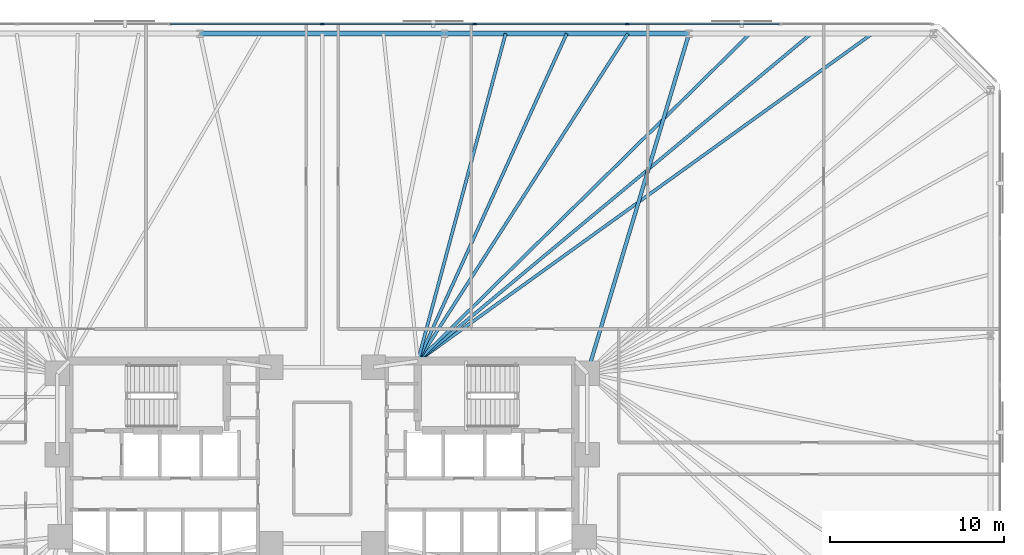
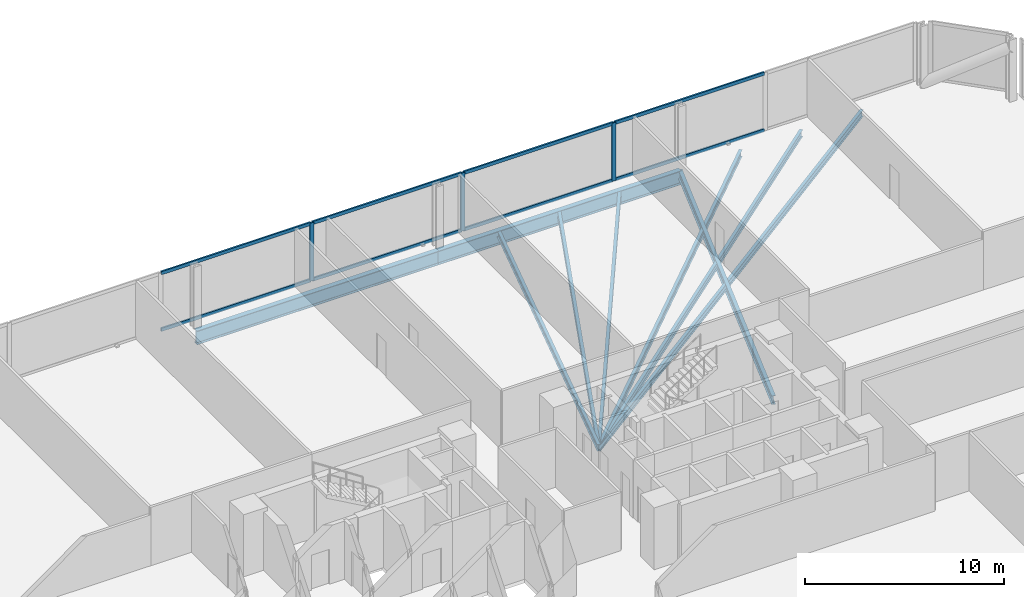
# One storey, part 9 of 16: 11 members, 9 beams, 1 element without a shape of its own.
"""IFC4 building model written with IfcOpenShell, lengths in metres."""

from ifc_helpers import new_model, si_unit, direction, frame, origin, origin_2d, place, context, subcontext, project, spatial, rectangle, i_section, extrude, material, material_profile, profile_set, type_object, element, aggregate, save


model = new_model("IFC4")

# Units and contexts
model_context = context("Model", 3, precision=1e-05, world=origin(), true_north=direction((0.0, 1.0)))
body_context = subcontext(model_context, "Body", "Model", "MODEL_VIEW")
ifc_project = project(units=[si_unit("LENGTHUNIT", "METRE"), si_unit("AREAUNIT", "SQUARE_METRE"), si_unit("VOLUMEUNIT", "CUBIC_METRE"), si_unit("PLANEANGLEUNIT", "RADIAN"), si_unit("MASSUNIT", "GRAM", prefix="KILO")], contexts=[model_context])

# Site, building, storey
site_placement = place(None, origin())
site = spatial("IfcSite", under=ifc_project, at=site_placement, CompositionType="ELEMENT")
building_placement = place(site_placement, origin())
building = spatial("IfcBuilding", under=site, at=building_placement, Name="Menara Jurai Vektor", CompositionType="ELEMENT")
storey_placement = place(building_placement, frame((0.0, 0.0, 33.199951171875)))
storey = spatial("IfcBuildingStorey", under=building, at=storey_placement, Name="L07", CompositionType="ELEMENT", Elevation=33.199951171875)

# Curtain wall, members
ifc_material_1 = material(Name="Anodised Pale Aluminium & Low-E Double Glazing", Category="aluminium")
curtain_wall_type = type_object("IfcCurtainWallType", Name="CW-BLK1", PredefinedType="NOTDEFINED", material=ifc_material_1)
curtain_wall_placement = place(storey_placement, origin())
curtain_wall = element("IfcCurtainWall", 1, at=curtain_wall_placement, inside=storey, type_object=curtain_wall_type, Name="Unitised Curtain Wall L07 F05", PredefinedType="NOTDEFINED")
ifc_material_2 = material(Name="Anodised Pale Aluminium Mullion", Category="aluminium")
ifc_material_profile_1 = material_profile(ifc_material_2, rectangle(XDim=0.094970703125, YDim=0.239990234375, at=origin_2d()), Name="ALU MUL 95x240")
ifc_profile_set_1 = profile_set([ifc_material_profile_1], Name="Anodised Pale Aluminium Mullion")
member_type_1 = type_object("IfcMemberType", Name="CW-BLK1-MUL", PredefinedType="MULLION", material=ifc_profile_set_1)
member_1_placement = place(storey_placement, frame((17.56005859375, 25.0, 0.0), z_axis=(0.0, 0.0, 1.0), x_axis=(0.0, -1.0, 0.0)))
member_1 = element("IfcMember", 2, at=member_1_placement, type_object=member_type_1, Name="CW-01 mullion 3", PredefinedType="MULLION", context=body_context, shape_type="SweptSolid", body=[
    extrude(rectangle(XDim=0.094970703125, YDim=0.239990234375, at=origin_2d()), origin(), (0.0, 0.0, 1.0), 3.574951171875),
])
member_2_placement = place(storey_placement, frame((8.780029296875, 25.0, 0.0), z_axis=(0.0, 0.0, 1.0), x_axis=(0.0, -1.0, 0.0)))
member_2 = element("IfcMember", 3, at=member_2_placement, type_object=member_type_1, Name="CW-01 mullion 4", PredefinedType="MULLION", context=body_context, shape_type="SweptSolid", body=[
    extrude(rectangle(XDim=0.094970703125, YDim=0.239990234375, at=origin_2d()), origin(), (0.0, 0.0, 1.0), 3.574951171875),
])
member_3_placement = place(storey_placement, frame((0.0, 25.0, 0.0), z_axis=(0.0, 0.0, 1.0), x_axis=(0.0, -1.0, 0.0)))
member_3 = element("IfcMember", 4, at=member_3_placement, type_object=member_type_1, Name="CW-01 mullion 5", PredefinedType="MULLION", context=body_context, shape_type="SweptSolid", body=[
    extrude(rectangle(XDim=0.094970703125, YDim=0.239990234375, at=origin_2d()), origin(), (0.0, 0.0, 1.0), 3.574951171875),
])
ifc_material_3 = material(Name="Anodised Pale Aluminium Transom", Category="aluminium")
ifc_material_profile_2 = material_profile(ifc_material_3, rectangle(XDim=0.094970703125, YDim=0.199951171875, at=origin_2d()), Name="ALU TRN 95x200")
ifc_profile_set_2 = profile_set([ifc_material_profile_2], Name="Anodised Pale Aluminium Transom")
member_type_2 = type_object("IfcMemberType", Name="CW-BLK1-TRN", PredefinedType="USERDEFINED", material=ifc_profile_set_2)
member_4_placement = place(storey_placement, frame((26.29248046875, 25.0, 0.047607421875), z_axis=(-1.0, 0.0, 0.0), x_axis=(0.0, -1.0, 0.0)))
member_4 = element("IfcMember", 5, at=member_4_placement, type_object=member_type_2, Name="CW-01 transom 2.1", ObjectType="TRANSOM", PredefinedType="USERDEFINED", context=body_context, shape_type="SweptSolid", body=[
    extrude(rectangle(XDim=0.094970703125, YDim=0.199951171875, at=origin_2d()), origin(), (0.0, 0.0, 1.0), 8.68505859375),
])
member_5_placement = place(storey_placement, frame((26.29248046875, 25.0, 3.527587890625), z_axis=(-1.0, 0.0, 0.0), x_axis=(0.0, -1.0, 0.0)))
member_5 = element("IfcMember", 6, at=member_5_placement, type_object=member_type_2, Name="CW-01 transom 2.2", ObjectType="TRANSOM", PredefinedType="USERDEFINED", context=body_context, shape_type="SweptSolid", body=[
    extrude(rectangle(XDim=0.094970703125, YDim=0.199951171875, at=origin_2d()), origin(), (0.0, 0.0, 1.0), 8.68505859375),
])
member_6_placement = place(storey_placement, frame((17.512451171875, 25.0, 0.047607421875), z_axis=(-1.0, 0.0, 0.0), x_axis=(0.0, -1.0, 0.0)))
member_6 = element("IfcMember", 7, at=member_6_placement, type_object=member_type_2, Name="CW-01 transom 3.1", ObjectType="TRANSOM", PredefinedType="USERDEFINED", context=body_context, shape_type="SweptSolid", body=[
    extrude(rectangle(XDim=0.094970703125, YDim=0.199951171875, at=origin_2d()), origin(), (0.0, 0.0, 1.0), 8.68505859375),
])
member_7_placement = place(storey_placement, frame((17.512451171875, 25.0, 3.527587890625), z_axis=(-1.0, 0.0, 0.0), x_axis=(0.0, -1.0, 0.0)))
member_7 = element("IfcMember", 8, at=member_7_placement, type_object=member_type_2, Name="CW-01 transom 3.2", ObjectType="TRANSOM", PredefinedType="USERDEFINED", context=body_context, shape_type="SweptSolid", body=[
    extrude(rectangle(XDim=0.094970703125, YDim=0.199951171875, at=origin_2d()), origin(), (0.0, 0.0, 1.0), 8.68505859375),
])
member_8_placement = place(storey_placement, frame((8.732421875, 25.0, 0.047607421875), z_axis=(-1.0, 0.0, 0.0), x_axis=(0.0, -1.0, 0.0)))
member_8 = element("IfcMember", 9, at=member_8_placement, type_object=member_type_2, Name="CW-01 transom 4.1", ObjectType="TRANSOM", PredefinedType="USERDEFINED", context=body_context, shape_type="SweptSolid", body=[
    extrude(rectangle(XDim=0.094970703125, YDim=0.199951171875, at=origin_2d()), origin(), (0.0, 0.0, 1.0), 8.684814453125),
])
member_9_placement = place(storey_placement, frame((8.732421875, 25.0, 3.527587890625), z_axis=(-1.0, 0.0, 0.0), x_axis=(0.0, -1.0, 0.0)))
member_9 = element("IfcMember", 10, at=member_9_placement, type_object=member_type_2, Name="CW-01 transom 4.2", ObjectType="TRANSOM", PredefinedType="USERDEFINED", context=body_context, shape_type="SweptSolid", body=[
    extrude(rectangle(XDim=0.094970703125, YDim=0.199951171875, at=origin_2d()), origin(), (0.0, 0.0, 1.0), 8.684814453125),
])
member_10_placement = place(storey_placement, frame((-0.047607421875, 25.0, 0.047607421875), z_axis=(-1.0, 0.0, 0.0), x_axis=(0.0, -1.0, 0.0)))
member_10 = element("IfcMember", 11, at=member_10_placement, type_object=member_type_2, Name="CW-01 transom 5.1", ObjectType="TRANSOM", PredefinedType="USERDEFINED", context=body_context, shape_type="SweptSolid", body=[
    extrude(rectangle(XDim=0.094970703125, YDim=0.199951171875, at=origin_2d()), origin(), (0.0, 0.0, 1.0), 8.684814453125),
])
member_11_placement = place(storey_placement, frame((-0.047607421875, 25.0, 3.527587890625), z_axis=(-1.0, 0.0, 0.0), x_axis=(0.0, -1.0, 0.0)))
member_11 = element("IfcMember", 12, at=member_11_placement, type_object=member_type_2, Name="CW-01 transom 5.2", ObjectType="TRANSOM", PredefinedType="USERDEFINED", context=body_context, shape_type="SweptSolid", body=[
    extrude(rectangle(XDim=0.094970703125, YDim=0.199951171875, at=origin_2d()), origin(), (0.0, 0.0, 1.0), 8.684814453125),
])
aggregate(curtain_wall, [member_1, member_2, member_3, member_4, member_5, member_6, member_7, member_8, member_9, member_10, member_11])

# Beams
ifc_material_4 = material(Name="Steel S355", Category="steel")
ifc_material_profile_3 = material_profile(ifc_material_4, i_section(OverallWidth=0.2109375, OverallDepth=0.5390625, WebThickness=0.011962890625, FlangeThickness=0.01904296875, FilletRadius=0.012939453125, at=origin_2d()), Name="UKB 533x210x109")
ifc_profile_set_3 = profile_set([ifc_material_profile_3], Name="Steel S355")
beam_type_1 = type_object("IfcBeamType", Name="STR-BM-533", PredefinedType="BEAM", material=ifc_profile_set_3)
beam_1_placement = place(storey_placement, frame((21.106689453125, 24.449951171875, -0.494384765625), z_axis=(-0.286973617166, -0.957938486047, 0.0), x_axis=(0.957938486047, -0.286973617166, 0.0)))
element("IfcBeam", 13, at=beam_1_placement, inside=storey, type_object=beam_type_1, Name="Radial Floor Girder L07-N2", PredefinedType="BEAM", context=body_context, shape_type="SweptSolid", body=[
    extrude(i_section(OverallWidth=0.2109375, OverallDepth=0.5390625, WebThickness=0.011962890625, FlangeThickness=0.01904296875, FilletRadius=0.012939453125, at=origin_2d()), origin(), (0.0, 0.0, 1.0), 20.408447265625),
])
ifc_material_profile_4 = material_profile(ifc_material_4, i_section(OverallWidth=0.178955078125, OverallDepth=0.408935546875, WebThickness=0.009033203125, FlangeThickness=0.013916015625, FilletRadius=0.010009765625, at=origin_2d()), Name="UKB 406x178x67")
ifc_profile_set_4 = profile_set([ifc_material_profile_4], Name="Steel S355")
beam_type_2 = type_object("IfcBeamType", Name="STR-JS-406", PredefinedType="JOIST", material=ifc_profile_set_4)
beam_2_placement = place(storey_placement, frame((31.659912109375, 24.449951171875, -0.429443359375), z_axis=(-0.81131785733, -0.584605280833, 0.0), x_axis=(0.584605280833, -0.81131785733, 0.0)))
element("IfcBeam", 14, at=beam_2_placement, inside=storey, type_object=beam_type_2, Name="Radial Secondary Floor Joist L07-JS16", PredefinedType="JOIST", context=body_context, shape_type="SweptSolid", body=[
    extrude(i_section(OverallWidth=0.178955078125, OverallDepth=0.408935546875, WebThickness=0.009033203125, FlangeThickness=0.013916015625, FilletRadius=0.010009765625, at=origin_2d()), origin(), (0.0, 0.0, 1.0), 32.24365234375),
])
beam_3_placement = place(storey_placement, frame((28.142333984375, 24.449951171875, -0.429443359375), z_axis=(-0.76853431665, -0.639808568347, 0.0), x_axis=(0.639808568347, -0.76853431665, 0.0)))
element("IfcBeam", 15, at=beam_3_placement, inside=storey, type_object=beam_type_2, Name="Radial Secondary Floor Joist L07-JS17", PredefinedType="JOIST", context=body_context, shape_type="SweptSolid", body=[
    extrude(i_section(OverallWidth=0.178955078125, OverallDepth=0.408935546875, WebThickness=0.009033203125, FlangeThickness=0.013916015625, FilletRadius=0.010009765625, at=origin_2d()), origin(), (0.0, 0.0, 1.0), 29.461669921875),
])
beam_4_placement = place(storey_placement, frame((24.62451171875, 24.449951171875, -0.429443359375), z_axis=(-0.712202462998, -0.70197411042, 0.0), x_axis=(0.70197411042, -0.712202462998, 0.0)))
element("IfcBeam", 16, at=beam_4_placement, inside=storey, type_object=beam_type_2, Name="Radial Secondary Floor Joist L07-JS18", PredefinedType="JOIST", context=body_context, shape_type="SweptSolid", body=[
    extrude(i_section(OverallWidth=0.178955078125, OverallDepth=0.408935546875, WebThickness=0.009033203125, FlangeThickness=0.013916015625, FilletRadius=0.010009765625, at=origin_2d()), origin(), (0.0, 0.0, 1.0), 26.8525390625),
])
beam_5_placement = place(storey_placement, frame((17.5888671875, 24.449951171875, -0.429443359375), z_axis=(-0.53984422461, -0.841764939372, 0.0), x_axis=(0.841764939372, -0.53984422461, 0.0)))
element("IfcBeam", 17, at=beam_5_placement, inside=storey, type_object=beam_type_2, Name="Radial Secondary Floor Joist L07-JS19", PredefinedType="JOIST", context=body_context, shape_type="SweptSolid", body=[
    extrude(i_section(OverallWidth=0.178955078125, OverallDepth=0.408935546875, WebThickness=0.009033203125, FlangeThickness=0.013916015625, FilletRadius=0.010009765625, at=origin_2d()), origin(), (0.0, 0.0, 1.0), 22.393310546875),
])
beam_6_placement = place(storey_placement, frame((14.071044921875, 24.449951171875, -0.429443359375), z_axis=(-0.413920197297, -0.910313171535, 0.0), x_axis=(0.910313171535, -0.413920197297, 0.0)))
element("IfcBeam", 18, at=beam_6_placement, inside=storey, type_object=beam_type_2, Name="Radial Secondary Floor Joist L07-JS20", PredefinedType="JOIST", context=body_context, shape_type="SweptSolid", body=[
    extrude(i_section(OverallWidth=0.178955078125, OverallDepth=0.408935546875, WebThickness=0.009033203125, FlangeThickness=0.013916015625, FilletRadius=0.010009765625, at=origin_2d()), origin(), (0.0, 0.0, 1.0), 20.70703125),
])
beam_7_placement = place(storey_placement, frame((10.55322265625, 24.449951171875, -0.429443359375), z_axis=(-0.258934723238, -0.965894823002, 0.0), x_axis=(0.965894823002, -0.258934723238, 0.0)))
element("IfcBeam", 19, at=beam_7_placement, inside=storey, type_object=beam_type_2, Name="Radial Secondary Floor Joist L07-JS21", PredefinedType="JOIST", context=body_context, shape_type="SweptSolid", body=[
    extrude(i_section(OverallWidth=0.178955078125, OverallDepth=0.408935546875, WebThickness=0.009033203125, FlangeThickness=0.013916015625, FilletRadius=0.010009765625, at=origin_2d()), origin(), (0.0, 0.0, 1.0), 19.515380859375),
])
ifc_material_5 = material(Name="Steel S460", Category="steel")
ifc_material_profile_5 = material_profile(ifc_material_5, i_section(OverallWidth=0.2939453125, OverallDepth=0.85107421875, WebThickness=0.01611328125, FlangeThickness=0.027099609375, FilletRadius=0.01806640625, at=origin_2d()), Name="UKB 838x292x226")
ifc_profile_set_5 = profile_set([ifc_material_profile_5], Name="Steel S460")
beam_type_3 = type_object("IfcBeamType", Name="STR-SP-838", PredefinedType="SPANDREL", material=ifc_profile_set_5)
beam_8_placement = place(storey_placement, frame((21.106689453125, 24.449951171875, -0.650390625), z_axis=(-1.0, 0.0, 0.0), x_axis=(0.0, -1.0, 0.0)))
element("IfcBeam", 20, at=beam_8_placement, inside=storey, type_object=beam_type_3, Name="Exoskeleton Spandrel Beam L07-12", PredefinedType="SPANDREL", context=body_context, shape_type="SweptSolid", body=[
    extrude(i_section(OverallWidth=0.2939453125, OverallDepth=0.85107421875, WebThickness=0.01611328125, FlangeThickness=0.027099609375, FilletRadius=0.01806640625, at=origin_2d()), origin(), (0.0, 0.0, 1.0), 14.071044921875),
])
beam_9_placement = place(storey_placement, frame((7.03564453125, 24.449951171875, -0.650390625), z_axis=(-1.0, 0.0, 0.0), x_axis=(0.0, -1.0, 0.0)))
element("IfcBeam", 21, at=beam_9_placement, inside=storey, type_object=beam_type_3, Name="Exoskeleton Spandrel Beam L07-13", PredefinedType="SPANDREL", context=body_context, shape_type="SweptSolid", body=[
    extrude(i_section(OverallWidth=0.2939453125, OverallDepth=0.85107421875, WebThickness=0.01611328125, FlangeThickness=0.027099609375, FilletRadius=0.01806640625, at=origin_2d()), origin(), (0.0, 0.0, 1.0), 14.0712890625),
])

save(model, "model.ifc")
